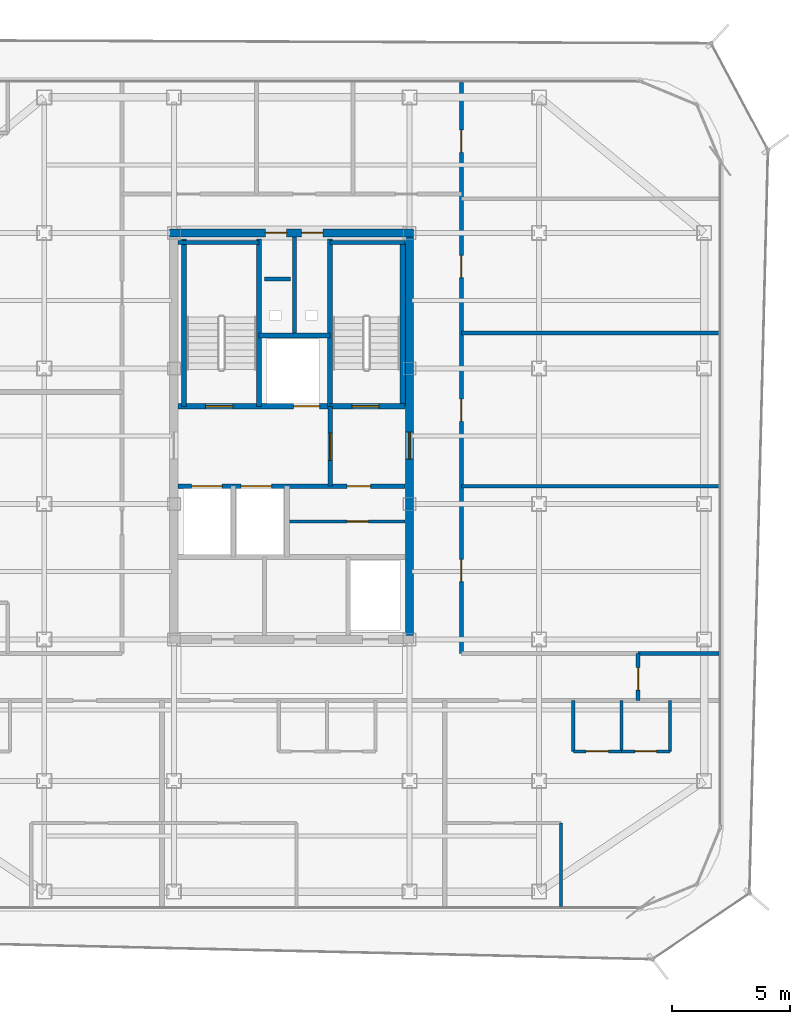
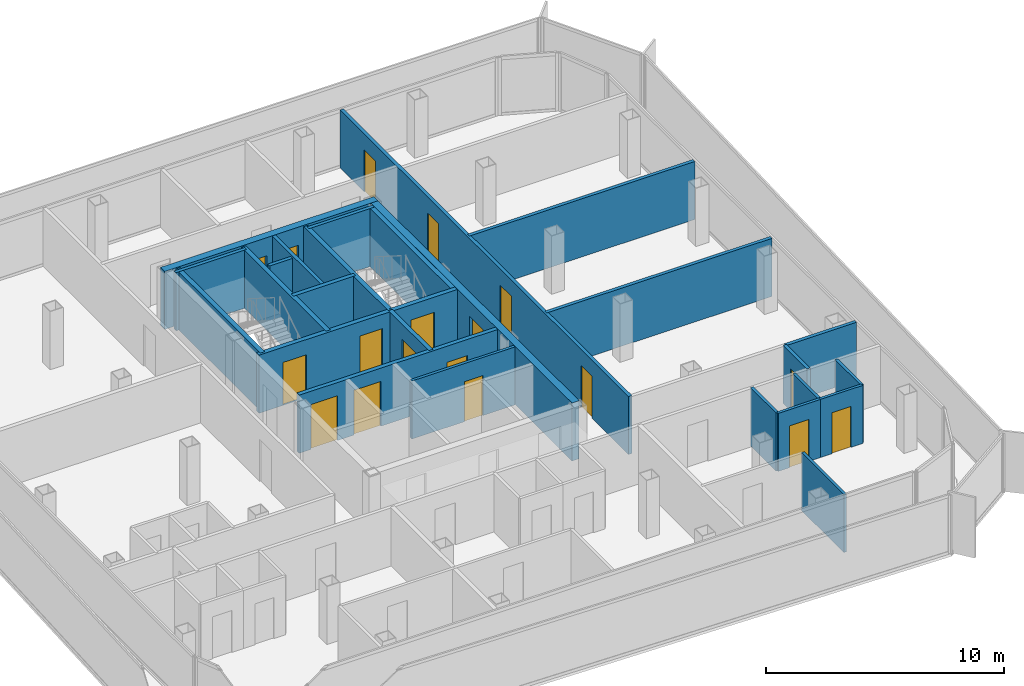
# One storey, part 11 of 15: 27 walls, 18 doors, 18 openings.
"""IFC4 building model written with IfcOpenShell, lengths in metres."""

import ifcopenshell
import ifcopenshell.guid

model = None  # the IFC model being written
_history = None  # IfcOwnerHistory: only IFC2X3 demands one
_inside = {}  # id of a spatial element -> (the spatial element, [elements in it])
_under = {}  # id of a project, library or spatial element -> (it, [spatial elements below it])
_declared = {}  # id of a project -> (the project, [libraries it declares])
_typed = {}  # id of a type object -> (the type object, [elements of that type])
_made_of = {}  # id of a material, layer set ... -> (it, [elements and type objects made of it])


def new_model(schema):
    """Start an empty IFC model of exactly this schema.

    Asked for "IFC4X3", IfcOpenShell would pick the latest addendum, in which some entities
    have other attributes; the version numbers below select the first issue.
    IFC2X3 requires an IfcOwnerHistory on every rooted entity: one is made here for all.
    """
    global model, _history
    if schema == "IFC4X3":
        model = ifcopenshell.file(schema_version=(4, 3, 0, 0))
    else:
        model = ifcopenshell.file(schema=schema)
    _inside.clear()
    _under.clear()
    _declared.clear()
    _typed.clear()
    _made_of.clear()
    _history = None
    if model.schema == "IFC2X3":
        org = make("IfcOrganization", Name="unknown")
        user = make(
            "IfcPersonAndOrganization",
            ThePerson=make("IfcPerson", FamilyName="unknown"),
            TheOrganization=org,
        )
        app = make(
            "IfcApplication",
            ApplicationDeveloper=org,
            Version="unknown",
            ApplicationFullName="unknown",
            ApplicationIdentifier="unknown",
        )
        _history = make(
            "IfcOwnerHistory",
            OwningUser=user,
            OwningApplication=app,
            ChangeAction="ADDED",
            CreationDate=0,
        )
    return model


def make(cls, **values):
    """One entity of the class cls with the attributes given. An attribute that is None is left unset."""
    return model.create_entity(
        cls, **{name: value for name, value in values.items() if value is not None}
    )


def rooted(cls, **values):
    """An entity with a GlobalId (a new one), such as an element, a storey or a relation."""
    return make(cls, GlobalId=ifcopenshell.guid.new(), OwnerHistory=_history, **values)


def si_unit(unit_type, name, prefix=None):
    """IfcSIUnit, for example si_unit("LENGTHUNIT", "METRE", prefix="MILLI")."""
    return make("IfcSIUnit", UnitType=unit_type, Prefix=prefix, Name=name)


def assignment(units):
    """IfcUnitAssignment: the units of a project."""
    return None if units is None else make("IfcUnitAssignment", Units=units)


def point(xyz):
    """IfcCartesianPoint."""
    return None if xyz is None else make("IfcCartesianPoint", Coordinates=xyz)


def direction(xyz):
    """IfcDirection."""
    return None if xyz is None else make("IfcDirection", DirectionRatios=xyz)


def frame(location, z_axis=None, x_axis=None):
    """IfcAxis2Placement3D, a coordinate frame: its origin and axes. An axis left out is left unset."""
    return make(
        "IfcAxis2Placement3D",
        Location=point(location),
        Axis=direction(z_axis),
        RefDirection=direction(x_axis),
    )


def frame_2d(location, x_axis=None):
    """IfcAxis2Placement2D, a coordinate frame in the plane: its origin and x axis."""
    return make(
        "IfcAxis2Placement2D", Location=point(location), RefDirection=direction(x_axis)
    )


def origin():
    """The frame at (0, 0, 0) with its axes left unset."""
    return frame((0.0, 0.0, 0.0))


def place(relative_to, where):
    """IfcLocalPlacement: puts the frame where relative to a parent placement (None: the world)."""
    return make(
        "IfcLocalPlacement", PlacementRelTo=relative_to, RelativePlacement=where
    )


def context(
    kind, dimensions, precision=None, world=None, true_north=None, identifier=None
):
    """IfcGeometricRepresentationContext, for example the 3D "Model" context."""
    return make(
        "IfcGeometricRepresentationContext",
        ContextIdentifier=identifier,
        ContextType=kind,
        CoordinateSpaceDimension=dimensions,
        Precision=precision,
        WorldCoordinateSystem=world,
        TrueNorth=true_north,
    )


def subcontext(parent, identifier, kind, view, scale=None):
    """IfcGeometricRepresentationSubContext, for example "Body" below "Model"."""
    return make(
        "IfcGeometricRepresentationSubContext",
        ContextIdentifier=identifier,
        ContextType=kind,
        ParentContext=parent,
        TargetScale=scale,
        TargetView=view,
    )


def project(units=None, contexts=None):
    """IfcProject with its units and contexts."""
    return rooted(
        "IfcProject",
        Name="project",
        RepresentationContexts=contexts,
        UnitsInContext=assignment(units),
    )


def spatial(cls, under=None, at=None, **own):
    """A site, building, storey or space (cls), placed at a placement, below another one or the project."""
    s = rooted(cls, ObjectPlacement=at, **own)
    if under is not None:
        _under.setdefault(under.id(), (under, []))[1].append(s)
    return s


def profile(cls, at=None, kind="AREA", **sizes):
    """A parametric profile (cls). Its sizes go by their IFC names, for example OverallWidth=200.0."""
    return make(cls, ProfileType=kind, Position=at, **sizes)


def rectangle(**sizes):
    """IfcRectangleProfileDef."""
    return profile("IfcRectangleProfileDef", **sizes)


def extrude(swept, where, along, depth):
    """IfcExtrudedAreaSolid: the profile swept, set in the frame where, extruded along a direction by depth."""
    return make(
        "IfcExtrudedAreaSolid",
        SweptArea=swept,
        Position=where,
        ExtrudedDirection=direction(along),
        Depth=depth,
    )


def shape(context_of_items, identifier, shape_type, items):
    """IfcShapeRepresentation: the items that make up one representation, for example the "Body"."""
    return make(
        "IfcShapeRepresentation",
        ContextOfItems=context_of_items,
        RepresentationIdentifier=identifier,
        RepresentationType=shape_type,
        Items=items,
    )


def material(Name=None, Category=None):
    """IfcMaterial."""
    return make("IfcMaterial", Name=Name, Category=Category)


def layer(
    of_material, thickness, ventilated=None, Name=None, Category=None, Priority=None
):
    """IfcMaterialLayer: one layer of a wall or slab, of a material (None: an air gap)."""
    return make(
        "IfcMaterialLayer",
        Material=of_material,
        LayerThickness=thickness,
        IsVentilated=ventilated,
        Name=Name,
        Category=Category,
        Priority=Priority,
    )


def layer_set(layers, Name=None):
    """IfcMaterialLayerSet."""
    return make("IfcMaterialLayerSet", MaterialLayers=layers, LayerSetName=Name)


def made_of(thing, what):
    """Note that an element or type object is made of a material, layer set ...; save() writes the relation."""
    if what is not None:
        _made_of.setdefault(what.id(), (what, []))[1].append(thing)
    return thing


def type_object(cls, material=None, **own):
    """A type object (cls), such as IfcWallType, which elements share."""
    return made_of(rooted(cls, **own), material)


def element(
    cls,
    number,
    at=None,
    inside=None,
    cuts=None,
    type_object=None,
    material=None,
    context=None,
    identifier="Body",
    shape_type=None,
    held_by="IfcProductDefinitionShape",
    body=None,
    shapes=None,
    **own,
):
    """One element of the class cls, such as IfcWall. Its Tag is "e" and its number.

    at: its placement. inside: the storey or other place that contains it. cuts: it is an
    opening in that element (IfcRelVoidsElement). A single representation is given by context,
    identifier, shape_type and body (its items); several are given by shapes. held_by: the class
    of the entity that holds the representations. save() writes the other relations.
    """
    e = rooted(cls, Tag="e%d" % number, ObjectPlacement=at, **own)
    if body is not None:
        shapes = [shape(context, identifier, shape_type, body)]
    if shapes is not None:
        e.Representation = make(held_by, Representations=shapes)
    if inside is not None:
        _inside.setdefault(inside.id(), (inside, []))[1].append(e)
    if cuts is not None:
        rooted(
            "IfcRelVoidsElement", RelatingBuildingElement=cuts, RelatedOpeningElement=e
        )
    if type_object is not None:
        _typed.setdefault(type_object.id(), (type_object, []))[1].append(e)
    return made_of(e, material)


def fill(opening, filler):
    """IfcRelFillsElement: the door or window that sits in an opening."""
    return rooted(
        "IfcRelFillsElement",
        RelatingOpeningElement=opening,
        RelatedBuildingElement=filler,
    )


def aggregate(whole, parts):
    """IfcRelAggregates: a whole, such as a stair, and the parts it consists of."""
    return rooted("IfcRelAggregates", RelatingObject=whole, RelatedObjects=parts)


def save(model, path):
    """Write the relations noted so far, then the file.

    IfcRelAggregates (storeys below a building ...), IfcRelContainedInSpatialStructure (elements
    in a storey), IfcRelDefinesByType, IfcRelAssociatesMaterial and IfcRelDeclares: one each for
    every whole, place, type object, material and project.
    """
    for whole, parts in _under.values():
        aggregate(whole, parts)
    for where, things in _inside.values():
        rooted(
            "IfcRelContainedInSpatialStructure",
            RelatedElements=things,
            RelatingStructure=where,
        )
    for kind, things in _typed.values():
        rooted("IfcRelDefinesByType", RelatedObjects=things, RelatingType=kind)
    for what, things in _made_of.values():
        rooted("IfcRelAssociatesMaterial", RelatedObjects=things, RelatingMaterial=what)
    for by, libraries in _declared.values():
        rooted("IfcRelDeclares", RelatingContext=by, RelatedDefinitions=libraries)
    model.write(path)


model = new_model("IFC4")

# Units and contexts
model_context = context("Model", 3, precision=1e-05, world=origin(), true_north=direction((0.0, 1.0)))
body_context = subcontext(model_context, "Body", "Model", "MODEL_VIEW")
ifc_project = project(units=[si_unit("LENGTHUNIT", "METRE"), si_unit("AREAUNIT", "SQUARE_METRE"), si_unit("VOLUMEUNIT", "CUBIC_METRE"), si_unit("PLANEANGLEUNIT", "RADIAN"), si_unit("MASSUNIT", "GRAM", prefix="KILO")], contexts=[model_context])

# Site, building, storey
site_placement = place(None, origin())
site = spatial("IfcSite", under=ifc_project, at=site_placement, CompositionType="ELEMENT")
building_placement = place(site_placement, origin())
building = spatial("IfcBuilding", under=site, at=building_placement, Name="Kolveth Station Tower", CompositionType="ELEMENT")
storey_placement = place(building_placement, frame((0.0, 0.0, 220.10009765625)))
storey = spatial("IfcBuildingStorey", under=building, at=storey_placement, Name="L62", CompositionType="ELEMENT", Elevation=220.10009765625)

# Wall, openings, doors
ifc_material_1 = material(Name="Concrete C50/60", Category="concrete")
ifc_layer_1 = layer(ifc_material_1, 0.35009765625)
ifc_layer_set_1 = layer_set([ifc_layer_1], Name="Concrete C50/60")
wall_type_1 = type_object("IfcWallType", Name="Wall_CW-350", PredefinedType="SHEAR", material=ifc_layer_set_1)
wall_1_placement = place(storey_placement, frame((18.324951171875, 28.75, 0.0), z_axis=(0.0, 0.0, 1.0), x_axis=(1.0, 0.0, 0.0)))
wall_1 = element("IfcWall", 1, at=wall_1_placement, inside=storey, type_object=wall_type_1, Name="L62 Core RC Shear Wall N", PredefinedType="SHEAR", context=body_context, shape_type="SweptSolid", body=[
    extrude(rectangle(XDim=10.35009765625, YDim=0.35009765625, at=frame_2d((5.175048828125, 0.0))), origin(), (0.0, 0.0, 1.0), 2.97998046875),
])
opening_1_placement = place(wall_1_placement, frame((4.054931640625, 0.0, 0.0)))
opening_1 = element("IfcOpeningElement", 2, at=opening_1_placement, cuts=wall_1, Name="Opening RD1", PredefinedType="OPENING", context=body_context, shape_type="SweptSolid", body=[
    extrude(rectangle(XDim=0.89990234375, YDim=2.050048828125, at=frame_2d((0.449951171875, 1.02490234375))), frame((0.0, 0.18505859375, 0.0), z_axis=(0.0, -1.0, 0.0), x_axis=(1.0, 0.0, 0.0)), (0.0, 0.0, 1.0), 0.3701171875),
])
opening_2_placement = place(wall_1_placement, frame((5.594970703125, 0.0, 0.0)))
opening_2 = element("IfcOpeningElement", 3, at=opening_2_placement, cuts=wall_1, Name="Opening RD1", PredefinedType="OPENING", context=body_context, shape_type="SweptSolid", body=[
    extrude(rectangle(XDim=0.89990234375, YDim=2.050048828125, at=frame_2d((0.449951171875, 1.02490234375))), frame((0.0, 0.18505859375, 0.0), z_axis=(0.0, -1.0, 0.0), x_axis=(1.0, 0.0, 0.0)), (0.0, 0.0, 1.0), 0.3701171875),
])
ifc_material_2 = material(Name="Fire-rated Steel S355 riser access leaf", Category="steel")
door_type_1 = type_object("IfcDoorType", Name="Door_RD1", OperationType="NOTDEFINED", PredefinedType="DOOR", material=ifc_material_2)
door_1_placement = place(opening_1_placement, origin())
door_1 = element("IfcDoor", 4, at=door_1_placement, inside=storey, type_object=door_type_1, Name="L62 Electrical Riser Access Door", OperationType="SINGLE_SWING_RIGHT", OverallHeight=2.050048828125, OverallWidth=0.89990234375, PredefinedType="DOOR", context=body_context, shape_type="SweptSolid", body=[
    extrude(rectangle(XDim=0.89990234375, YDim=2.050048828125, at=frame_2d((0.449951171875, 1.02490234375))), frame((0.0, 0.02490234375, 0.0), z_axis=(0.0, -1.0, 0.0), x_axis=(1.0, 0.0, 0.0)), (0.0, 0.0, 1.0), 0.050048828125),
])
fill(opening_1, door_1)
door_2_placement = place(opening_2_placement, origin())
door_2 = element("IfcDoor", 5, at=door_2_placement, inside=storey, type_object=door_type_1, Name="L62 Smoke Duct Access Door", OperationType="SINGLE_SWING_LEFT", OverallHeight=2.050048828125, OverallWidth=0.89990234375, PredefinedType="DOOR", context=body_context, shape_type="SweptSolid", body=[
    extrude(rectangle(XDim=0.89990234375, YDim=2.050048828125, at=frame_2d((0.449951171875, 1.02490234375))), frame((0.0, 0.02490234375, 0.0), z_axis=(0.0, -1.0, 0.0), x_axis=(1.0, 0.0, 0.0)), (0.0, 0.0, 1.0), 0.050048828125),
])
fill(opening_2, door_2)

# Wall, opening, door
wall_2_placement = place(storey_placement, frame((28.5, 11.675048828125, 0.0), z_axis=(0.0, 0.0, 1.0), x_axis=(0.0, 1.0, 0.0)))
wall_2 = element("IfcWall", 6, at=wall_2_placement, inside=storey, type_object=wall_type_1, Name="L62 Core RC Shear Wall E", PredefinedType="SHEAR", context=body_context, shape_type="SweptSolid", body=[
    extrude(rectangle(XDim=16.89990234375, YDim=0.35009765625, at=frame_2d((8.449951171875, 0.0))), origin(), (0.0, 0.0, 1.0), 2.97998046875),
])
opening_3_placement = place(wall_2_placement, frame((7.47509765625, 0.0, 0.0)))
opening_3 = element("IfcOpeningElement", 7, at=opening_3_placement, cuts=wall_2, Name="Opening FD1", PredefinedType="OPENING", context=body_context, shape_type="SweptSolid", body=[
    extrude(rectangle(XDim=1.14990234375, YDim=2.199951171875, at=frame_2d((0.574951171875, 1.10009765625))), frame((0.0, 0.18505859375, 0.0), z_axis=(0.0, -1.0, 0.0), x_axis=(1.0, 0.0, 0.0)), (0.0, 0.0, 1.0), 0.3701171875),
])
ifc_material_3 = material(Name="Fire-rated Steel S355 leaf and frame", Category="steel")
door_type_2 = type_object("IfcDoorType", Name="Door_FD1", OperationType="NOTDEFINED", PredefinedType="DOOR", material=ifc_material_3)
door_3_placement = place(opening_3_placement, origin())
door_3 = element("IfcDoor", 8, at=door_3_placement, inside=storey, type_object=door_type_2, Name="L62 East Corridor to Stair Lobby Door", OperationType="SINGLE_SWING_LEFT", OverallHeight=2.199951171875, OverallWidth=1.14990234375, PredefinedType="DOOR", context=body_context, shape_type="SweptSolid", body=[
    extrude(rectangle(XDim=1.14990234375, YDim=2.199951171875, at=frame_2d((0.574951171875, 1.10009765625))), frame((0.0, 0.02490234375, 0.0), z_axis=(0.0, -1.0, 0.0), x_axis=(1.0, 0.0, 0.0)), (0.0, 0.0, 1.0), 0.050048828125),
])
fill(opening_3, door_3)

ifc_material_4 = material(Name="Moisture-resistant gypsum partition")
ifc_layer_2 = layer(ifc_material_4, 0.135009765625)
ifc_layer_set_2 = layer_set([ifc_layer_2], Name="Moisture-resistant gypsum partition")
wall_type_2 = type_object("IfcWallType", Name="Wall_IW-135", PredefinedType="PARTITIONING", material=ifc_layer_set_2)
wall_3_placement = place(storey_placement, frame((23.300048828125, 16.5, 0.0), z_axis=(0.0, 0.0, 1.0), x_axis=(1.0, 0.0, 0.0)))
wall_3 = element("IfcWall", 9, at=wall_3_placement, inside=storey, type_object=wall_type_2, Name="L62 Partition Wall WL-L62-CB-H1", PredefinedType="PARTITIONING", context=body_context, shape_type="SweptSolid", body=[
    extrude(rectangle(XDim=5.014892578125, YDim=0.135009765625, at=frame_2d((2.50732421875, 0.0))), origin(), (0.0, 0.0, 1.0), 2.97998046875),
])
opening_4_placement = place(wall_3_placement, frame((2.550048828125, 0.0, 0.0)))
opening_4 = element("IfcOpeningElement", 10, at=opening_4_placement, cuts=wall_3, Name="Opening RD1", PredefinedType="OPENING", context=body_context, shape_type="SweptSolid", body=[
    extrude(rectangle(XDim=0.89990234375, YDim=2.050048828125, at=frame_2d((0.449951171875, 1.02490234375))), frame((0.0, 0.077392578125, 0.0), z_axis=(0.0, -1.0, 0.0), x_axis=(1.0, 0.0, 0.0)), (0.0, 0.0, 1.0), 0.155029296875),
])
door_4_placement = place(opening_4_placement, frame((0.89990234375, 0.0, 0.0), z_axis=(0.0, 0.0, 1.0), x_axis=(-1.0, 0.0, 0.0)))
door_4 = element("IfcDoor", 11, at=door_4_placement, inside=storey, type_object=door_type_1, Name="L62 Core Equipment Store Door", OperationType="SINGLE_SWING_LEFT", OverallHeight=2.050048828125, OverallWidth=0.89990234375, PredefinedType="DOOR", context=body_context, shape_type="SweptSolid", body=[
    extrude(rectangle(XDim=0.89990234375, YDim=2.050048828125, at=frame_2d((0.449951171875, 1.02490234375))), frame((0.0, 0.02490234375, 0.0), z_axis=(0.0, -1.0, 0.0), x_axis=(1.0, 0.0, 0.0)), (0.0, 0.0, 1.0), 0.050048828125),
])
fill(opening_4, door_4)

wall_4_placement = place(storey_placement, frame((35.449951171875, 6.75, 0.0), z_axis=(0.0, 0.0, 1.0), x_axis=(1.0, 0.0, 0.0)))
wall_4 = element("IfcWall", 12, at=wall_4_placement, inside=storey, type_object=wall_type_2, Name="L62 Partition Wall WL-L62-A3-IBHK", PredefinedType="PARTITIONING", context=body_context, shape_type="SweptSolid", body=[
    extrude(rectangle(XDim=2.050048828125, YDim=0.135009765625, at=frame_2d((1.02490234375, 0.0))), origin(), (0.0, 0.0, 1.0), 2.97998046875),
])
opening_5_placement = place(wall_4_placement, frame((0.544921875, 0.0, 0.0)))
opening_5 = element("IfcOpeningElement", 13, at=opening_5_placement, cuts=wall_4, Name="Opening ID1", PredefinedType="OPENING", context=body_context, shape_type="SweptSolid", body=[
    extrude(rectangle(XDim=0.949951171875, YDim=2.14990234375, at=frame_2d((0.47509765625, 1.074951171875))), frame((0.0, 0.077392578125, 0.0), z_axis=(0.0, -1.0, 0.0), x_axis=(1.0, 0.0, 0.0)), (0.0, 0.0, 1.0), 0.155029296875),
])
ifc_material_5 = material(Name="Acoustic hardwood leaf and aluminium frame", Category="wood")
door_type_3 = type_object("IfcDoorType", Name="Door_ID1", OperationType="NOTDEFINED", PredefinedType="DOOR", material=ifc_material_5)
door_5_placement = place(opening_5_placement, origin())
door_5 = element("IfcDoor", 14, at=door_5_placement, inside=storey, type_object=door_type_3, Name="Flat L62-A3 Kitchen Door", OperationType="SINGLE_SWING_RIGHT", OverallHeight=2.14990234375, OverallWidth=0.949951171875, PredefinedType="DOOR", context=body_context, shape_type="SweptSolid", body=[
    extrude(rectangle(XDim=0.949951171875, YDim=2.14990234375, at=frame_2d((0.47509765625, 1.074951171875))), frame((0.0, 0.02490234375, 0.0), z_axis=(0.0, -1.0, 0.0), x_axis=(1.0, 0.0, 0.0)), (0.0, 0.0, 1.0), 0.050048828125),
])
fill(opening_5, door_5)

wall_5_placement = place(storey_placement, frame((37.5, 6.75, 0.0), z_axis=(0.0, 0.0, 1.0), x_axis=(1.0, 0.0, 0.0)))
wall_5 = element("IfcWall", 15, at=wall_5_placement, inside=storey, type_object=wall_type_2, Name="L62 Partition Wall WL-L62-A3-IBHB", PredefinedType="PARTITIONING", context=body_context, shape_type="SweptSolid", body=[
    extrude(rectangle(XDim=2.050048828125, YDim=0.135009765625, at=frame_2d((1.02490234375, 0.0))), origin(), (0.0, 0.0, 1.0), 2.97998046875),
])
opening_6_placement = place(wall_5_placement, frame((0.56494140625, 0.0, 0.0)))
opening_6 = element("IfcOpeningElement", 16, at=opening_6_placement, cuts=wall_5, Name="Opening ID2", PredefinedType="OPENING", context=body_context, shape_type="SweptSolid", body=[
    extrude(rectangle(XDim=0.919921875, YDim=2.10009765625, at=frame_2d((0.4599609375, 1.050048828125))), frame((0.0, 0.077392578125, 0.0), z_axis=(0.0, -1.0, 0.0), x_axis=(1.0, 0.0, 0.0)), (0.0, 0.0, 1.0), 0.155029296875),
])
ifc_material_6 = material(Name="Moisture-resistant hardwood leaf", Category="wood")
door_type_4 = type_object("IfcDoorType", Name="Door_ID2", OperationType="NOTDEFINED", PredefinedType="DOOR", material=ifc_material_6)
door_6_placement = place(opening_6_placement, origin())
door_6 = element("IfcDoor", 17, at=door_6_placement, inside=storey, type_object=door_type_4, Name="Flat L62-A3 Bathroom Door", OperationType="SINGLE_SWING_LEFT", OverallHeight=2.10009765625, OverallWidth=0.919921875, PredefinedType="DOOR", context=body_context, shape_type="SweptSolid", body=[
    extrude(rectangle(XDim=0.919921875, YDim=2.10009765625, at=frame_2d((0.4599609375, 1.050048828125))), frame((0.0, 0.02490234375, 0.0), z_axis=(0.0, -1.0, 0.0), x_axis=(1.0, 0.0, 0.0)), (0.0, 0.0, 1.0), 0.050048828125),
])
fill(opening_6, door_6)

# Walls
for number, where, z_axis, x_axis, name in (
    (18, (35.449951171875, 6.75, 0.0), (0.0, 0.0, 1.0), (0.0, 1.0, 0.0), "L62 Partition Wall WL-L62-A3-IBV0"),
    (19, (37.5, 6.75, 0.0), (0.0, 0.0, 1.0), (0.0, 1.0, 0.0), "L62 Partition Wall WL-L62-A3-IBV1"),
    (20, (39.550048828125, 6.75, 0.0), (0.0, 0.0, 1.0), (0.0, 1.0, 0.0), "L62 Partition Wall WL-L62-A3-IBV2"),
):
    element("IfcWall", number, at=place(storey_placement, frame(where, z_axis=z_axis, x_axis=x_axis)), inside=storey, type_object=wall_type_2, Name=name, PredefinedType="PARTITIONING", context=body_context, shape_type="SweptSolid", body=[
        extrude(rectangle(XDim=2.14990234375, YDim=0.135009765625, at=frame_2d((1.074951171875, 0.0))), origin(), (0.0, 0.0, 1.0), 2.97998046875),
    ])
wall_6_placement = place(storey_placement, frame((34.928955078125, 0.159912109375, 0.0), z_axis=(0.0, 0.0, 1.0), x_axis=(0.0, 1.0, 0.0)))
element("IfcWall", 21, at=wall_6_placement, inside=storey, type_object=wall_type_2, Name="L62 Partition Wall WL-L62-A3-BDVE", PredefinedType="PARTITIONING", context=body_context, shape_type="SweptSolid", body=[
    extrude(rectangle(XDim=3.550048828125, YDim=0.135009765625, at=frame_2d((1.77490234375, 0.0))), origin(), (0.0, 0.0, 1.0), 2.97998046875),
])
ifc_material_7 = material(Name="Acoustic double-stud gypsum partition")
ifc_layer_3 = layer(ifc_material_7, 0.1650390625)
ifc_layer_set_3 = layer_set([ifc_layer_3], Name="Acoustic double-stud gypsum partition")
wall_type_3 = type_object("IfcWallType", Name="Wall_IW-165", PredefinedType="PARTITIONING", material=ifc_layer_set_3)
wall_7_placement = place(storey_placement, frame((18.68505859375, 28.3349609375, 0.0), z_axis=(0.0, 0.0, 1.0), x_axis=(1.0, 0.0, 0.0)))
element("IfcWall", 22, at=wall_7_placement, inside=storey, type_object=wall_type_3, Name="L62 Stair Shaft Wall WL-L62-ST1-N", PredefinedType="PARTITIONING", context=body_context, shape_type="SweptSolid", body=[
    extrude(rectangle(XDim=3.425048828125, YDim=0.1650390625, at=frame_2d((1.71240234375, 0.0))), origin(), (0.0, 0.0, 1.0), 2.97998046875),
])
wall_8_placement = place(storey_placement, frame((25.1298828125, 28.3349609375, 0.0), z_axis=(0.0, 0.0, 1.0), x_axis=(1.0, 0.0, 0.0)))
element("IfcWall", 23, at=wall_8_placement, inside=storey, type_object=wall_type_3, Name="L62 Stair Shaft Wall WL-L62-ST2-N", PredefinedType="PARTITIONING", context=body_context, shape_type="SweptSolid", body=[
    extrude(rectangle(XDim=3.18505859375, YDim=0.1650390625, at=frame_2d((1.592529296875, 0.0))), origin(), (0.0, 0.0, 1.0), 2.97998046875),
])
wall_9_placement = place(storey_placement, frame((23.6201171875, 24.39990234375, 0.0), z_axis=(0.0, 0.0, 1.0), x_axis=(0.0, 1.0, 0.0)))
element("IfcWall", 24, at=wall_9_placement, inside=storey, type_object=wall_type_3, Name="L62 Partition Wall WL-L62-RSR-M", PredefinedType="PARTITIONING", context=body_context, shape_type="SweptSolid", body=[
    extrude(rectangle(XDim=4.1650390625, YDim=0.1650390625, at=frame_2d((2.08251953125, 0.0))), origin(), (0.0, 0.0, 1.0), 2.97998046875),
])

# Wall, opening, door
wall_10_placement = place(storey_placement, frame((38.199951171875, 8.89990234375, 0.0), z_axis=(0.0, 0.0, 1.0), x_axis=(0.0, 1.0, 0.0)))
wall_10 = element("IfcWall", 25, at=wall_10_placement, inside=storey, type_object=wall_type_3, Name="L62 Partition Wall WL-L62-RSEE", PredefinedType="PARTITIONING", context=body_context, shape_type="SweptSolid", body=[
    extrude(rectangle(XDim=2.0, YDim=0.1650390625, at=frame_2d((1.0, 0.0))), origin(), (0.0, 0.0, 1.0), 2.97998046875),
])
opening_7_placement = place(wall_10_placement, frame((0.449951171875, 0.0, 0.0)))
opening_7 = element("IfcOpeningElement", 26, at=opening_7_placement, cuts=wall_10, Name="Opening ID1", PredefinedType="OPENING", context=body_context, shape_type="SweptSolid", body=[
    extrude(rectangle(XDim=0.949951171875, YDim=2.14990234375, at=frame_2d((0.47509765625, 1.074951171875))), frame((0.0, 0.092529296875, 0.0), z_axis=(0.0, -1.0, 0.0), x_axis=(1.0, 0.0, 0.0)), (0.0, 0.0, 1.0), 0.18505859375),
])
door_7_placement = place(opening_7_placement, origin())
door_7 = element("IfcDoor", 27, at=door_7_placement, inside=storey, type_object=door_type_3, Name="L62 Hobby Study Door", OperationType="SINGLE_SWING_LEFT", OverallHeight=2.14990234375, OverallWidth=0.949951171875, PredefinedType="DOOR", context=body_context, shape_type="SweptSolid", body=[
    extrude(rectangle(XDim=0.949951171875, YDim=2.14990234375, at=frame_2d((0.47509765625, 1.074951171875))), frame((0.0, 0.02490234375, 0.0), z_axis=(0.0, -1.0, 0.0), x_axis=(1.0, 0.0, 0.0)), (0.0, 0.0, 1.0), 0.050048828125),
])
fill(opening_7, door_7)

# Wall, openings, doors
wall_11_placement = place(storey_placement, frame((30.699951171875, 10.89990234375, 0.0), z_axis=(0.0, 0.0, 1.0), x_axis=(0.0, 1.0, 0.0)))
wall_11 = element("IfcWall", 28, at=wall_11_placement, inside=storey, type_object=wall_type_3, Name="L62 Partition Wall WL-L62-RE", PredefinedType="PARTITIONING", context=body_context, shape_type="SweptSolid", body=[
    extrude(rectangle(XDim=24.239990234375, YDim=0.1650390625, at=frame_2d((12.1201171875, 0.0))), origin(), (0.0, 0.0, 1.0), 2.97998046875),
])
opening_8_placement = place(wall_11_placement, frame((3.050048828125, 0.0, 0.0)))
opening_8 = element("IfcOpeningElement", 29, at=opening_8_placement, cuts=wall_11, Name="Opening ID1", PredefinedType="OPENING", context=body_context, shape_type="SweptSolid", body=[
    extrude(rectangle(XDim=0.949951171875, YDim=2.14990234375, at=frame_2d((0.47509765625, 1.074951171875))), frame((0.0, 0.092529296875, 0.0), z_axis=(0.0, -1.0, 0.0), x_axis=(1.0, 0.0, 0.0)), (0.0, 0.0, 1.0), 0.18505859375),
])
opening_9_placement = place(wall_11_placement, frame((9.85009765625, 0.0, 0.0)))
opening_9 = element("IfcOpeningElement", 30, at=opening_9_placement, cuts=wall_11, Name="Opening ID1", PredefinedType="OPENING", context=body_context, shape_type="SweptSolid", body=[
    extrude(rectangle(XDim=0.949951171875, YDim=2.14990234375, at=frame_2d((0.47509765625, 1.074951171875))), frame((0.0, 0.092529296875, 0.0), z_axis=(0.0, -1.0, 0.0), x_axis=(1.0, 0.0, 0.0)), (0.0, 0.0, 1.0), 0.18505859375),
])
opening_10_placement = place(wall_11_placement, frame((15.949951171875, 0.0, 0.0)))
opening_10 = element("IfcOpeningElement", 31, at=opening_10_placement, cuts=wall_11, Name="Opening ID1", PredefinedType="OPENING", context=body_context, shape_type="SweptSolid", body=[
    extrude(rectangle(XDim=0.949951171875, YDim=2.14990234375, at=frame_2d((0.47509765625, 1.074951171875))), frame((0.0, 0.092529296875, 0.0), z_axis=(0.0, -1.0, 0.0), x_axis=(1.0, 0.0, 0.0)), (0.0, 0.0, 1.0), 0.18505859375),
])
opening_11_placement = place(wall_11_placement, frame((21.27001953125, 0.0, 0.0)))
opening_11 = element("IfcOpeningElement", 32, at=opening_11_placement, cuts=wall_11, Name="Opening ID1", PredefinedType="OPENING", context=body_context, shape_type="SweptSolid", body=[
    extrude(rectangle(XDim=0.949951171875, YDim=2.14990234375, at=frame_2d((0.47509765625, 1.074951171875))), frame((0.0, 0.092529296875, 0.0), z_axis=(0.0, -1.0, 0.0), x_axis=(1.0, 0.0, 0.0)), (0.0, 0.0, 1.0), 0.18505859375),
])
door_8_placement = place(opening_8_placement, origin())
door_8 = element("IfcDoor", 33, at=door_8_placement, inside=storey, type_object=door_type_3, Name="L62 Quiet Reading Study E1 Door", OperationType="SINGLE_SWING_LEFT", OverallHeight=2.14990234375, OverallWidth=0.949951171875, PredefinedType="DOOR", context=body_context, shape_type="SweptSolid", body=[
    extrude(rectangle(XDim=0.949951171875, YDim=2.14990234375, at=frame_2d((0.47509765625, 1.074951171875))), frame((0.0, 0.02490234375, 0.0), z_axis=(0.0, -1.0, 0.0), x_axis=(1.0, 0.0, 0.0)), (0.0, 0.0, 1.0), 0.050048828125),
])
fill(opening_8, door_8)
door_9_placement = place(opening_9_placement, origin())
door_9 = element("IfcDoor", 34, at=door_9_placement, inside=storey, type_object=door_type_3, Name="L62 Quiet Reading Study E2 Door", OperationType="SINGLE_SWING_LEFT", OverallHeight=2.14990234375, OverallWidth=0.949951171875, PredefinedType="DOOR", context=body_context, shape_type="SweptSolid", body=[
    extrude(rectangle(XDim=0.949951171875, YDim=2.14990234375, at=frame_2d((0.47509765625, 1.074951171875))), frame((0.0, 0.02490234375, 0.0), z_axis=(0.0, -1.0, 0.0), x_axis=(1.0, 0.0, 0.0)), (0.0, 0.0, 1.0), 0.050048828125),
])
fill(opening_9, door_9)
door_10_placement = place(opening_10_placement, origin())
door_10 = element("IfcDoor", 35, at=door_10_placement, inside=storey, type_object=door_type_3, Name="L62 Residents' Conference Room Door", OperationType="SINGLE_SWING_RIGHT", OverallHeight=2.14990234375, OverallWidth=0.949951171875, PredefinedType="DOOR", context=body_context, shape_type="SweptSolid", body=[
    extrude(rectangle(XDim=0.949951171875, YDim=2.14990234375, at=frame_2d((0.47509765625, 1.074951171875))), frame((0.0, 0.02490234375, 0.0), z_axis=(0.0, -1.0, 0.0), x_axis=(1.0, 0.0, 0.0)), (0.0, 0.0, 1.0), 0.050048828125),
])
fill(opening_10, door_10)
door_11_placement = place(opening_11_placement, origin())
door_11 = element("IfcDoor", 36, at=door_11_placement, inside=storey, type_object=door_type_3, Name="L62 Tea Pantry Door", OperationType="SINGLE_SWING_LEFT", OverallHeight=2.14990234375, OverallWidth=0.949951171875, PredefinedType="DOOR", context=body_context, shape_type="SweptSolid", body=[
    extrude(rectangle(XDim=0.949951171875, YDim=2.14990234375, at=frame_2d((0.47509765625, 1.074951171875))), frame((0.0, 0.02490234375, 0.0), z_axis=(0.0, -1.0, 0.0), x_axis=(1.0, 0.0, 0.0)), (0.0, 0.0, 1.0), 0.050048828125),
])
fill(opening_11, door_11)

# Walls
wall_12_placement = place(storey_placement, frame((38.199951171875, 10.89990234375, 0.0), z_axis=(0.0, 0.0, 1.0), x_axis=(1.0, 0.0, 0.0)))
element("IfcWall", 37, at=wall_12_placement, inside=storey, type_object=wall_type_3, Name="L62 Partition Wall WL-L62-ESTN", PredefinedType="PARTITIONING", context=body_context, shape_type="SweptSolid", body=[
    extrude(rectangle(XDim=3.43994140625, YDim=0.1650390625, at=frame_2d((1.719970703125, 0.0))), origin(), (0.0, 0.0, 1.0), 2.97998046875),
])
for number, where, z_axis, x_axis, name in (
    (38, (30.699951171875, 18.0, 0.0), (0.0, 0.0, 1.0), (1.0, 0.0, 0.0), "L62 Partition Wall WL-L62-REA-P1"),
    (39, (30.699951171875, 24.5, 0.0), (0.0, 0.0, 1.0), (1.0, 0.0, 0.0), "L62 Partition Wall WL-L62-REA-P2"),
):
    element("IfcWall", number, at=place(storey_placement, frame(where, z_axis=z_axis, x_axis=x_axis)), inside=storey, type_object=wall_type_3, Name=name, PredefinedType="PARTITIONING", context=body_context, shape_type="SweptSolid", body=[
        extrude(rectangle(XDim=10.93994140625, YDim=0.1650390625, at=frame_2d((5.469970703125, 0.0))), origin(), (0.0, 0.0, 1.0), 2.97998046875),
    ])
wall_13_placement = place(storey_placement, frame((22.35009765625, 26.800048828125, 0.0), z_axis=(0.0, 0.0, 1.0), x_axis=(1.0, 0.0, 0.0)))
element("IfcWall", 40, at=wall_13_placement, inside=storey, type_object=wall_type_3, Name="L62 Acoustic Riser Dry-Lining Wall", PredefinedType="PARTITIONING", context=body_context, shape_type="SweptSolid", body=[
    extrude(rectangle(XDim=1.099853515625, YDim=0.1650390625, at=frame_2d((0.5498046875, 0.0))), origin(), (0.0, 0.0, 1.0), 2.97998046875),
])
ifc_material_8 = material(Name="Acoustic fire-rated gypsum blockwork", Category="masonry")
ifc_layer_4 = layer(ifc_material_8, 0.199951171875)
ifc_layer_set_4 = layer_set([ifc_layer_4], Name="Acoustic fire-rated gypsum blockwork")
wall_type_4 = type_object("IfcWallType", Name="Wall_IW-200", PredefinedType="PARTITIONING", material=ifc_layer_set_4)
wall_14_placement = place(storey_placement, frame((22.110107421875, 24.39990234375, 0.0), z_axis=(0.0, 0.0, 1.0), x_axis=(1.0, 0.0, 0.0)))
element("IfcWall", 41, at=wall_14_placement, inside=storey, type_object=wall_type_4, Name="L62 Partition Wall WL-L62-RSR-S", PredefinedType="PARTITIONING", context=body_context, shape_type="SweptSolid", body=[
    extrude(rectangle(XDim=3.019775390625, YDim=0.199951171875, at=frame_2d((1.509765625, 0.0))), origin(), (0.0, 0.0, 1.0), 2.97998046875),
])

# Wall, opening, door
wall_15_placement = place(storey_placement, frame((25.1298828125, 18.0, 0.0), z_axis=(0.0, 0.0, 1.0), x_axis=(0.0, 1.0, 0.0)))
wall_15 = element("IfcWall", 42, at=wall_15_placement, inside=storey, type_object=wall_type_4, Name="L62 Partition Wall WL-L62-FFL-E", PredefinedType="PARTITIONING", context=body_context, shape_type="SweptSolid", body=[
    extrude(rectangle(XDim=3.389892578125, YDim=0.199951171875, at=frame_2d((1.69482421875, 0.0))), origin(), (0.0, 0.0, 1.0), 2.97998046875),
])
opening_12_placement = place(wall_15_placement, frame((1.10009765625, 0.0, 0.0)))
opening_12 = element("IfcOpeningElement", 43, at=opening_12_placement, cuts=wall_15, Name="Opening FD1", PredefinedType="OPENING", context=body_context, shape_type="SweptSolid", body=[
    extrude(rectangle(XDim=1.14990234375, YDim=2.199951171875, at=frame_2d((0.574951171875, 1.10009765625))), frame((0.0, 0.10986328125, 0.0), z_axis=(0.0, -1.0, 0.0), x_axis=(1.0, 0.0, 0.0)), (0.0, 0.0, 1.0), 0.219970703125),
])
door_12_placement = place(opening_12_placement, origin())
door_12 = element("IfcDoor", 44, at=door_12_placement, inside=storey, type_object=door_type_2, Name="L62 Firefighting to Stair Lobby Door", OperationType="SINGLE_SWING_LEFT", OverallHeight=2.199951171875, OverallWidth=1.14990234375, PredefinedType="DOOR", context=body_context, shape_type="SweptSolid", body=[
    extrude(rectangle(XDim=1.14990234375, YDim=2.199951171875, at=frame_2d((0.574951171875, 1.10009765625))), frame((0.0, 0.02490234375, 0.0), z_axis=(0.0, -1.0, 0.0), x_axis=(1.0, 0.0, 0.0)), (0.0, 0.0, 1.0), 0.050048828125),
])
fill(opening_12, door_12)

# Wall, openings, doors
wall_16_placement = place(storey_placement, frame((18.68505859375, 18.0, 0.0), z_axis=(0.0, 0.0, 1.0), x_axis=(1.0, 0.0, 0.0)))
wall_16 = element("IfcWall", 45, at=wall_16_placement, inside=storey, type_object=wall_type_4, Name="L62 Partition Wall WL-L62-FFL-S", PredefinedType="PARTITIONING", context=body_context, shape_type="SweptSolid", body=[
    extrude(rectangle(XDim=9.6298828125, YDim=0.199951171875, at=frame_2d((4.81494140625, 0.0))), origin(), (0.0, 0.0, 1.0), 2.97998046875),
])
opening_13_placement = place(wall_16_placement, frame((0.56494140625, 0.0, 0.0)))
opening_13 = element("IfcOpeningElement", 46, at=opening_13_placement, cuts=wall_16, Name="Opening LD2", PredefinedType="OPENING", context=body_context, shape_type="SweptSolid", body=[
    extrude(rectangle(XDim=1.300048828125, YDim=2.300048828125, at=frame_2d((0.64990234375, 1.14990234375))), frame((0.0, 0.10986328125, 0.0), z_axis=(0.0, -1.0, 0.0), x_axis=(1.0, 0.0, 0.0)), (0.0, 0.0, 1.0), 0.219970703125),
])
opening_14_placement = place(wall_16_placement, frame((2.6650390625, 0.0, 0.0)))
opening_14 = element("IfcOpeningElement", 47, at=opening_14_placement, cuts=wall_16, Name="Opening LD2", PredefinedType="OPENING", context=body_context, shape_type="SweptSolid", body=[
    extrude(rectangle(XDim=1.300048828125, YDim=2.300048828125, at=frame_2d((0.64990234375, 1.14990234375))), frame((0.0, 0.10986328125, 0.0), z_axis=(0.0, -1.0, 0.0), x_axis=(1.0, 0.0, 0.0)), (0.0, 0.0, 1.0), 0.219970703125),
])
opening_15_placement = place(wall_16_placement, frame((7.1650390625, 0.0, 0.0)))
opening_15 = element("IfcOpeningElement", 48, at=opening_15_placement, cuts=wall_16, Name="Opening FD3", PredefinedType="OPENING", context=body_context, shape_type="SweptSolid", body=[
    extrude(rectangle(XDim=1.0, YDim=2.14990234375, at=frame_2d((0.5, 1.074951171875))), frame((0.0, 0.10986328125, 0.0), z_axis=(0.0, -1.0, 0.0), x_axis=(1.0, 0.0, 0.0)), (0.0, 0.0, 1.0), 0.219970703125),
])
ifc_material_9 = material(Name="Fire-rated hardwood leaf and aluminium frame", Category="wood")
door_type_5 = type_object("IfcDoorType", Name="Door_FD3", OperationType="NOTDEFINED", PredefinedType="DOOR", material=ifc_material_9)
door_13_placement = place(opening_15_placement, frame((1.0, 0.0, 0.0), z_axis=(0.0, 0.0, 1.0), x_axis=(-1.0, 0.0, 0.0)))
door_13 = element("IfcDoor", 49, at=door_13_placement, inside=storey, type_object=door_type_5, Name="L62 Core Linen and Supply Store Door", OperationType="SINGLE_SWING_RIGHT", OverallHeight=2.14990234375, OverallWidth=1.0, PredefinedType="DOOR", context=body_context, shape_type="SweptSolid", body=[
    extrude(rectangle(XDim=1.0, YDim=2.14990234375, at=frame_2d((0.5, 1.074951171875))), frame((0.0, 0.02490234375, 0.0), z_axis=(0.0, -1.0, 0.0), x_axis=(1.0, 0.0, 0.0)), (0.0, 0.0, 1.0), 0.050048828125),
])
fill(opening_15, door_13)
ifc_material_10 = material(Name="Firefighting stainless steel sliding landing doors", Category="steel")
door_type_6 = type_object("IfcDoorType", Name="Door_LD2", OperationType="NOTDEFINED", PredefinedType="DOOR", material=ifc_material_10)
door_14_placement = place(opening_13_placement, origin())
door_14 = element("IfcDoor", 50, at=door_14_placement, inside=storey, type_object=door_type_6, Name="L62 Firefighting Lift FF1 Landing Door", OperationType="DOUBLE_DOOR_SLIDING", OverallHeight=2.300048828125, OverallWidth=1.300048828125, PredefinedType="DOOR", context=body_context, shape_type="SweptSolid", body=[
    extrude(rectangle(XDim=1.300048828125, YDim=2.300048828125, at=frame_2d((0.64990234375, 1.14990234375))), frame((0.0, 0.02490234375, 0.0), z_axis=(0.0, -1.0, 0.0), x_axis=(1.0, 0.0, 0.0)), (0.0, 0.0, 1.0), 0.050048828125),
])
fill(opening_13, door_14)
door_15_placement = place(opening_14_placement, origin())
door_15 = element("IfcDoor", 51, at=door_15_placement, inside=storey, type_object=door_type_6, Name="L62 Firefighting Lift FF2 Landing Door", OperationType="DOUBLE_DOOR_SLIDING", OverallHeight=2.300048828125, OverallWidth=1.300048828125, PredefinedType="DOOR", context=body_context, shape_type="SweptSolid", body=[
    extrude(rectangle(XDim=1.300048828125, YDim=2.300048828125, at=frame_2d((0.64990234375, 1.14990234375))), frame((0.0, 0.02490234375, 0.0), z_axis=(0.0, -1.0, 0.0), x_axis=(1.0, 0.0, 0.0)), (0.0, 0.0, 1.0), 0.050048828125),
])
fill(opening_14, door_15)

# Walls
ifc_material_11 = material(Name="Concrete C40/50", Category="concrete")
ifc_layer_5 = layer(ifc_material_11, 0.219970703125)
ifc_layer_set_5 = layer_set([ifc_layer_5], Name="Concrete C40/50")
wall_type_5 = type_object("IfcWallType", Name="Wall_IW-220", PredefinedType="SOLIDWALL", material=ifc_layer_set_5)
for number, where, z_axis, x_axis, name in (
    (52, (18.929931640625, 21.389892578125, 0.0), (0.0, 0.0, 1.0), (0.0, 1.0, 0.0), "L62 Stair Shaft Wall WL-L62-ST1-W"),
    (53, (22.110107421875, 21.389892578125, 0.0), (0.0, 0.0, 1.0), (0.0, 1.0, 0.0), "L62 Stair Shaft Wall WL-L62-ST1-E"),
    (54, (25.1298828125, 21.389892578125, 0.0), (0.0, 0.0, 1.0), (0.0, 1.0, 0.0), "L62 Stair Shaft Wall WL-L62-ST2-W"),
):
    element("IfcWall", number, at=place(storey_placement, frame(where, z_axis=z_axis, x_axis=x_axis)), inside=storey, type_object=wall_type_5, Name=name, PredefinedType="SOLIDWALL", context=body_context, shape_type="SweptSolid", body=[
        extrude(rectangle(XDim=7.110107421875, YDim=0.219970703125, at=frame_2d((3.55517578125, 0.0))), origin(), (0.0, 0.0, 1.0), 2.97998046875),
    ])
wall_17_placement = place(storey_placement, frame((28.2099609375, 21.389892578125, 0.0), z_axis=(0.0, 0.0, 1.0), x_axis=(0.0, 1.0, 0.0)))
element("IfcWall", 55, at=wall_17_placement, inside=storey, type_object=wall_type_5, Name="L62 Stair Shaft Wall WL-L62-ST2-E", PredefinedType="SOLIDWALL", context=body_context, shape_type="SweptSolid", body=[
    extrude(rectangle(XDim=6.945068359375, YDim=0.219970703125, at=frame_2d((3.47265625, 0.0))), origin(), (0.0, 0.0, 1.0), 2.97998046875),
])

# Wall, openings, doors
wall_18_placement = place(storey_placement, frame((18.68505859375, 21.389892578125, 0.0), z_axis=(0.0, 0.0, 1.0), x_axis=(1.0, 0.0, 0.0)))
wall_18 = element("IfcWall", 56, at=wall_18_placement, inside=storey, type_object=wall_type_5, Name="L62 Stair Shaft Wall WL-L62-ST1-S", PredefinedType="SOLIDWALL", context=body_context, shape_type="SweptSolid", body=[
    extrude(rectangle(XDim=6.44482421875, YDim=0.219970703125, at=frame_2d((3.222412109375, 0.0))), origin(), (0.0, 0.0, 1.0), 2.97998046875),
])
opening_16_placement = place(wall_18_placement, frame((1.1650390625, 0.0, 0.0)))
opening_16 = element("IfcOpeningElement", 57, at=opening_16_placement, cuts=wall_18, Name="Opening FD1", PredefinedType="OPENING", context=body_context, shape_type="SweptSolid", body=[
    extrude(rectangle(XDim=1.14990234375, YDim=2.199951171875, at=frame_2d((0.574951171875, 1.10009765625))), frame((0.0, 0.119873046875, 0.0), z_axis=(0.0, -1.0, 0.0), x_axis=(1.0, 0.0, 0.0)), (0.0, 0.0, 1.0), 0.239990234375),
])
opening_17_placement = place(wall_18_placement, frame((4.89501953125, 0.0, 0.0)))
opening_17 = element("IfcOpeningElement", 58, at=opening_17_placement, cuts=wall_18, Name="Opening LD1", PredefinedType="OPENING", context=body_context, shape_type="SweptSolid", body=[
    extrude(rectangle(XDim=1.10009765625, YDim=2.25, at=frame_2d((0.550048828125, 1.125))), frame((0.0, 0.119873046875, 0.0), z_axis=(0.0, -1.0, 0.0), x_axis=(1.0, 0.0, 0.0)), (0.0, 0.0, 1.0), 0.239990234375),
])
door_16_placement = place(opening_16_placement, frame((1.14990234375, 0.0, 0.0), z_axis=(0.0, 0.0, 1.0), x_axis=(-1.0, 0.0, 0.0)))
door_16 = element("IfcDoor", 59, at=door_16_placement, inside=storey, type_object=door_type_2, Name="L62 Stair ST1 Fire Door", OperationType="SINGLE_SWING_LEFT", OverallHeight=2.199951171875, OverallWidth=1.14990234375, PredefinedType="DOOR", context=body_context, shape_type="SweptSolid", body=[
    extrude(rectangle(XDim=1.14990234375, YDim=2.199951171875, at=frame_2d((0.574951171875, 1.10009765625))), frame((0.0, 0.02490234375, 0.0), z_axis=(0.0, -1.0, 0.0), x_axis=(1.0, 0.0, 0.0)), (0.0, 0.0, 1.0), 0.050048828125),
])
fill(opening_16, door_16)
ifc_material_12 = material(Name="Brushed stainless steel sliding landing doors", Category="steel")
door_type_7 = type_object("IfcDoorType", Name="Door_LD1", OperationType="NOTDEFINED", PredefinedType="DOOR", material=ifc_material_12)
door_17_placement = place(opening_17_placement, frame((1.10009765625, 0.0, 0.0), z_axis=(0.0, 0.0, 1.0), x_axis=(-1.0, 0.0, 0.0)))
door_17 = element("IfcDoor", 60, at=door_17_placement, inside=storey, type_object=door_type_7, Name="L62 Service Lift SV1 Landing Door", OperationType="DOUBLE_DOOR_SLIDING", OverallHeight=2.25, OverallWidth=1.10009765625, PredefinedType="DOOR", context=body_context, shape_type="SweptSolid", body=[
    extrude(rectangle(XDim=1.10009765625, YDim=2.25, at=frame_2d((0.550048828125, 1.125))), frame((0.0, 0.02490234375, 0.0), z_axis=(0.0, -1.0, 0.0), x_axis=(1.0, 0.0, 0.0)), (0.0, 0.0, 1.0), 0.050048828125),
])
fill(opening_17, door_17)

# Wall, opening, door
wall_19_placement = place(storey_placement, frame((25.1298828125, 21.389892578125, 0.0), z_axis=(0.0, 0.0, 1.0), x_axis=(1.0, 0.0, 0.0)))
wall_19 = element("IfcWall", 61, at=wall_19_placement, inside=storey, type_object=wall_type_5, Name="L62 Stair Shaft Wall WL-L62-ST2-S", PredefinedType="SOLIDWALL", context=body_context, shape_type="SweptSolid", body=[
    extrude(rectangle(XDim=3.18505859375, YDim=0.219970703125, at=frame_2d((1.592529296875, 0.0))), origin(), (0.0, 0.0, 1.0), 2.97998046875),
])
opening_18_placement = place(wall_19_placement, frame((0.919921875, 0.0, 0.0)))
opening_18 = element("IfcOpeningElement", 62, at=opening_18_placement, cuts=wall_19, Name="Opening FD1", PredefinedType="OPENING", context=body_context, shape_type="SweptSolid", body=[
    extrude(rectangle(XDim=1.14990234375, YDim=2.199951171875, at=frame_2d((0.574951171875, 1.10009765625))), frame((0.0, 0.119873046875, 0.0), z_axis=(0.0, -1.0, 0.0), x_axis=(1.0, 0.0, 0.0)), (0.0, 0.0, 1.0), 0.239990234375),
])
door_18_placement = place(opening_18_placement, frame((1.14990234375, 0.0, 0.0), z_axis=(0.0, 0.0, 1.0), x_axis=(-1.0, 0.0, 0.0)))
door_18 = element("IfcDoor", 63, at=door_18_placement, inside=storey, type_object=door_type_2, Name="L62 Stair ST2 Fire Door", OperationType="SINGLE_SWING_LEFT", OverallHeight=2.199951171875, OverallWidth=1.14990234375, PredefinedType="DOOR", context=body_context, shape_type="SweptSolid", body=[
    extrude(rectangle(XDim=1.14990234375, YDim=2.199951171875, at=frame_2d((0.574951171875, 1.10009765625))), frame((0.0, 0.02490234375, 0.0), z_axis=(0.0, -1.0, 0.0), x_axis=(1.0, 0.0, 0.0)), (0.0, 0.0, 1.0), 0.050048828125),
])
fill(opening_18, door_18)

save(model, "model.ifc")
